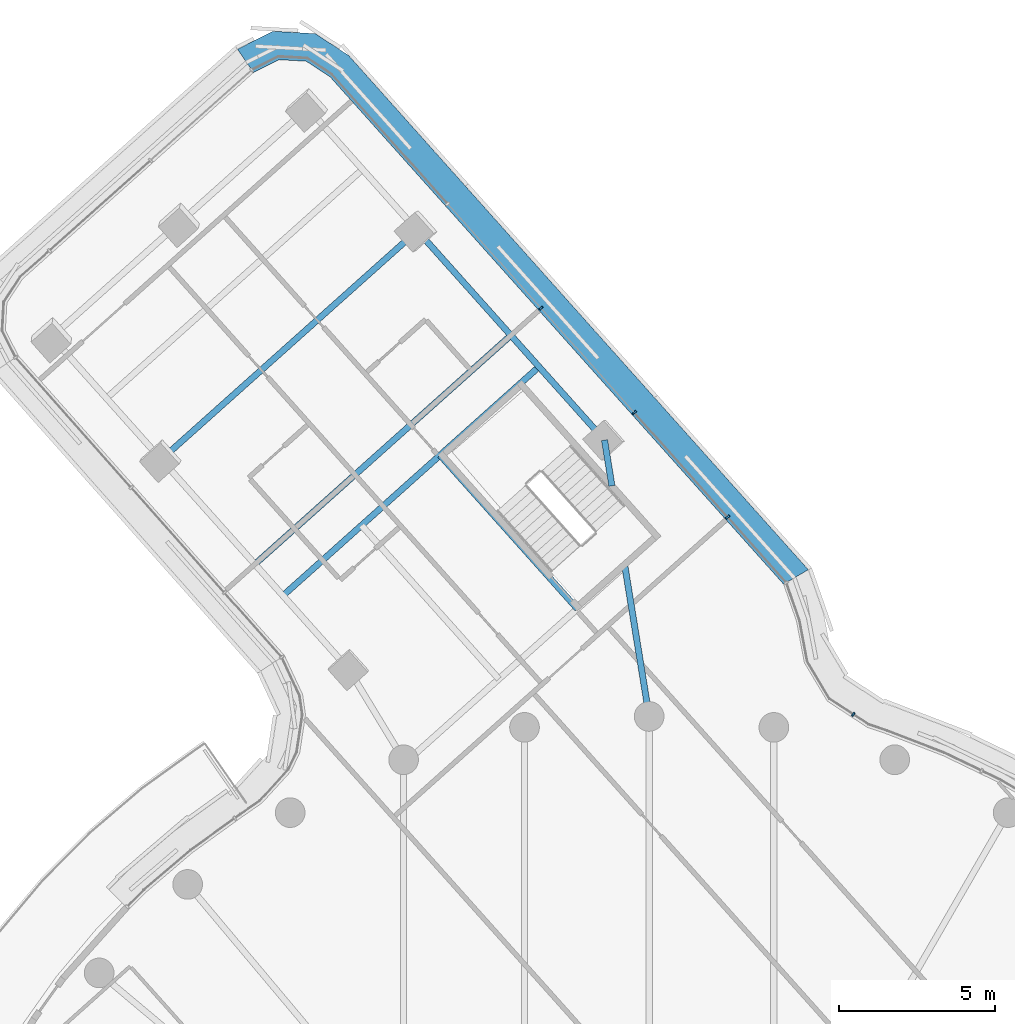
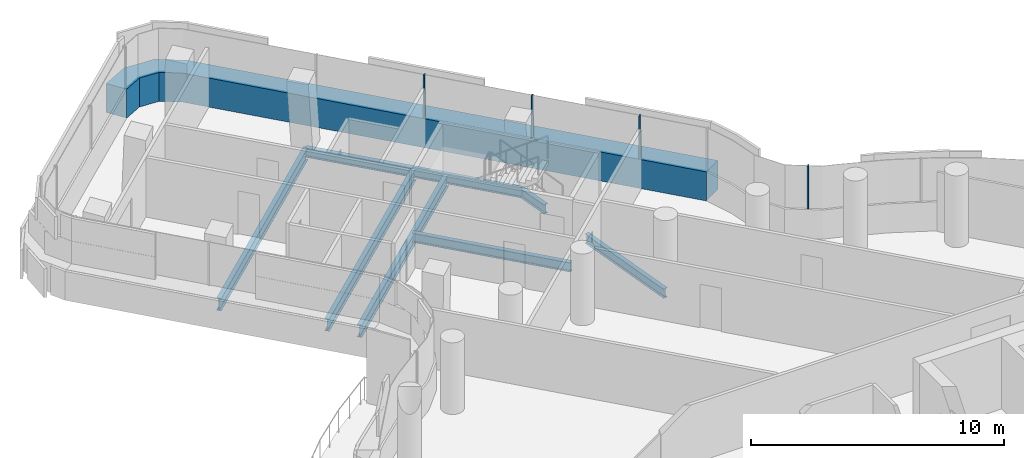
# One storey, part 16 of 33: 7 beams, 5 members, 2 elements without a shape of their own.
"""IFC4 building model written with IfcOpenShell, lengths in metres."""

from ifc_helpers import new_model, si_unit, direction, frame, origin, origin_2d, place, context, subcontext, project, spatial, polyline, rectangle, i_section, outline, extrude, material, layer, layer_set, material_profile, profile_set, type_object, element, aggregate, save


model = new_model("IFC4")

# Units and contexts
model_context = context("Model", 3, precision=1e-05, world=origin(), true_north=direction((0.0, 1.0)))
body_context = subcontext(model_context, "Body", "Model", "MODEL_VIEW")
ifc_project = project(units=[si_unit("LENGTHUNIT", "METRE"), si_unit("AREAUNIT", "SQUARE_METRE"), si_unit("VOLUMEUNIT", "CUBIC_METRE"), si_unit("PLANEANGLEUNIT", "RADIAN"), si_unit("MASSUNIT", "GRAM", prefix="KILO")], contexts=[model_context])

# Site, building, storey
site_placement = place(None, origin())
site = spatial("IfcSite", under=ifc_project, at=site_placement, CompositionType="ELEMENT")
building_placement = place(site_placement, origin())
building = spatial("IfcBuilding", under=site, at=building_placement, Name="Tamarind Cross Interchange Tower", CompositionType="ELEMENT")
storey_placement = place(building_placement, frame((0.0, 0.0, 186.10009765625)))
storey = spatial("IfcBuildingStorey", under=building, at=storey_placement, Name="L46", CompositionType="ELEMENT", Elevation=186.10009765625)

# Beams
ifc_material_1 = material(Name="Steel Q355B", Category="steel")
ifc_material_profile_1 = material_profile(ifc_material_1, i_section(OverallWidth=0.198974609375, OverallDepth=0.446044921875, WebThickness=0.008056640625, FlangeThickness=0.011962890625, FilletRadius=0.012939453125, at=origin_2d()), Name="HN 446x199x8x12")
ifc_profile_set_1 = profile_set([ifc_material_profile_1], Name="Steel Q355B")
beam_type_1 = type_object("IfcBeamType", Name="Composite beam HN 446x199x8x12 Q355B", PredefinedType="BEAM", material=ifc_profile_set_1)
beam_1_placement = place(storey_placement, frame((-7.428466796875, 38.563720703125, -0.363037109375), z_axis=(0.666420511024, -0.745576087658, 0.0), x_axis=(0.745576087658, 0.666420511024, 0.0)))
element("IfcBeam", 1, at=beam_1_placement, inside=storey, type_object=beam_type_1, Name="Beam N-edgeem6", PredefinedType="BEAM", context=body_context, shape_type="SweptSolid", body=[
    extrude(i_section(OverallWidth=0.198974609375, OverallDepth=0.446044921875, WebThickness=0.008056640625, FlangeThickness=0.011962890625, FilletRadius=0.012939453125, at=origin_2d()), origin(), (0.0, 0.0, 1.0), 9.0),
])
beam_2_placement = place(storey_placement, frame((-1.4306640625, 31.853515625, -0.363037109375), z_axis=(0.159542701998, -0.987191028241, 0.0), x_axis=(0.987191028241, 0.159542701998, 0.0)))
element("IfcBeam", 2, at=beam_2_placement, inside=storey, type_object=beam_type_1, Name="Beam N-linkemt0", PredefinedType="BEAM", context=body_context, shape_type="SweptSolid", body=[
    extrude(i_section(OverallWidth=0.198974609375, OverallDepth=0.446044921875, WebThickness=0.008056640625, FlangeThickness=0.011962890625, FilletRadius=0.012939453125, at=origin_2d()), origin(), (0.0, 0.0, 1.0), 1.484375),
])
beam_3_placement = place(storey_placement, frame((-0.786865234375, 27.868896484375, -0.363037109375), z_axis=(0.159540580116, -0.987191371162, 0.0), x_axis=(0.987191371162, 0.159540580116, 0.0)))
element("IfcBeam", 3, at=beam_3_placement, inside=storey, type_object=beam_type_1, Name="Beam N-linkemt1", PredefinedType="BEAM", context=body_context, shape_type="SweptSolid", body=[
    extrude(i_section(OverallWidth=0.198974609375, OverallDepth=0.446044921875, WebThickness=0.008056640625, FlangeThickness=0.011962890625, FilletRadius=0.012939453125, at=origin_2d()), origin(), (0.0, 0.0, 1.0), 4.93212890625),
])
beam_4_placement = place(storey_placement, frame((-2.30029296875, 26.448974609375, -0.363037109375), z_axis=(-0.666418497056, 0.745577887803, 0.0), x_axis=(-0.745577887803, -0.666418497056, 0.0)))
element("IfcBeam", 4, at=beam_4_placement, inside=storey, type_object=beam_type_1, Name="Beam N-tr1", PredefinedType="BEAM", context=body_context, shape_type="SweptSolid", body=[
    extrude(i_section(OverallWidth=0.198974609375, OverallDepth=0.446044921875, WebThickness=0.008056640625, FlangeThickness=0.011962890625, FilletRadius=0.012939453125, at=origin_2d()), origin(), (0.0, 0.0, 1.0), 6.60009765625),
])
ifc_material_profile_2 = material_profile(ifc_material_1, i_section(OverallWidth=0.198974609375, OverallDepth=0.595947265625, WebThickness=0.010009765625, FlangeThickness=0.014892578125, FilletRadius=0.012939453125, at=origin_2d()), Name="HN 596x199x10x15")
ifc_profile_set_2 = profile_set([ifc_material_profile_2], Name="Steel Q355B")
beam_type_2 = type_object("IfcBeamType", Name="Composite beam HN 596x199x10x15 Q355B", PredefinedType="BEAM", material=ifc_profile_set_2)
beam_5_placement = place(storey_placement, frame((-3.530029296875, 34.2021484375, -0.43798828125), z_axis=(-0.745561069078, -0.666437313087, 0.0), x_axis=(0.666437313087, -0.745561069078, 0.0)))
element("IfcBeam", 5, at=beam_5_placement, inside=storey, type_object=beam_type_2, Name="Beam N-x334", PredefinedType="BEAM", context=body_context, shape_type="SweptSolid", body=[
    extrude(i_section(OverallWidth=0.198974609375, OverallDepth=0.595947265625, WebThickness=0.010009765625, FlangeThickness=0.014892578125, FilletRadius=0.012939453125, at=origin_2d()), origin(), (0.0, 0.0, 1.0), 11.0),
])
beam_6_placement = place(storey_placement, frame((-7.428466796875, 38.563720703125, -0.43798828125), z_axis=(-0.745570926315, -0.666426285371, 0.0), x_axis=(0.666426285371, -0.745570926315, 0.0)))
element("IfcBeam", 6, at=beam_6_placement, inside=storey, type_object=beam_type_2, Name="Beam N-x393", PredefinedType="BEAM", context=body_context, shape_type="SweptSolid", body=[
    extrude(i_section(OverallWidth=0.198974609375, OverallDepth=0.595947265625, WebThickness=0.010009765625, FlangeThickness=0.014892578125, FilletRadius=0.012939453125, at=origin_2d()), origin(), (0.0, 0.0, 1.0), 11.000244140625),
])
beam_7_placement = place(storey_placement, frame((-4.4296875, 35.208740234375, -0.43798828125), z_axis=(-0.745561069078, -0.666437313087, 0.0), x_axis=(0.666437313087, -0.745561069078, 0.0)))
element("IfcBeam", 7, at=beam_7_placement, inside=storey, type_object=beam_type_2, Name="Beam N-x348", PredefinedType="BEAM", context=body_context, shape_type="SweptSolid", body=[
    extrude(i_section(OverallWidth=0.198974609375, OverallDepth=0.595947265625, WebThickness=0.010009765625, FlangeThickness=0.014892578125, FilletRadius=0.012939453125, at=origin_2d()), origin(), (0.0, 0.0, 1.0), 11.0),
])

# Curtain wall, member
ifc_material_2 = material(Name="Aluminium 6063-T6", Category="aluminium")
ifc_layer = layer(ifc_material_2, 0.139892578125)
ifc_layer_set = layer_set([ifc_layer], Name="Aluminium 6063-T6")
curtain_wall_type = type_object("IfcCurtainWallType", Name="Hotel curtain wall, 4.5 m bays", PredefinedType="NOTDEFINED", material=ifc_layer_set)
curtain_wall_1_placement = place(storey_placement, origin())
curtain_wall_1 = element("IfcCurtainWall", 8, at=curtain_wall_1_placement, inside=storey, type_object=curtain_wall_type, Name="CWS-L46-07", PredefinedType="NOTDEFINED")
ifc_material_3 = material(Name="Aluminium and insulated spandrel panel", Category="aluminium")
member_type_1 = type_object("IfcMemberType", Name="Floor-edge blade transom", PredefinedType="USERDEFINED", material=ifc_material_3)
member_1_placement = place(storey_placement, origin())
member_1 = element("IfcMember", 9, at=member_1_placement, type_object=member_type_1, Name="CWT-L46-07", ObjectType="TRANSOM", PredefinedType="USERDEFINED", context=body_context, shape_type="SweptSolid", body=[
    extrude(outline(polyline([(4.30712890625, 27.235107421875), (-10.221435546875, 43.489013671875), (-10.9873046875, 43.990234375), (-11.860595703125, 44.039306640625), (-12.677734375, 43.626708984375), (-13.189208984375, 44.37646484375), (-12.051025390625, 44.951416015625), (-10.6962890625, 44.87548828125), (-9.62939453125, 44.177001953125), (5.097412109375, 27.701416015625), (4.30712890625, 27.235107421875)])), origin(), (0.0, 0.0, 1.0), 1.39990234375),
])

curtain_wall_2_placement = place(storey_placement, origin())
curtain_wall_2 = element("IfcCurtainWall", 10, at=curtain_wall_2_placement, inside=storey, type_object=curtain_wall_type, Name="CWS-L46-06", PredefinedType="NOTDEFINED")
ifc_material_profile_3 = material_profile(ifc_material_2, rectangle(XDim=0.06005859375, YDim=0.139892578125, at=origin_2d()), Name="Mullion CW2")
ifc_profile_set_3 = profile_set([ifc_material_profile_3], Name="Aluminium 6063-T6")
member_type_2 = type_object("IfcMemberType", Name="Mullion CW2", PredefinedType="MULLION", material=ifc_profile_set_3)
member_2_placement = place(storey_placement, frame((6.539306640625, 23.06591796875, 1.39990234375), z_axis=(0.0, 0.0, 1.0), x_axis=(-0.83630937517, 0.548257812532, 0.0)))
member_2 = element("IfcMember", 11, at=member_2_placement, type_object=member_type_2, Name="CWM-L46-06-13", PredefinedType="MULLION", context=body_context, shape_type="SweptSolid", body=[
    extrude(rectangle(XDim=0.06005859375, YDim=0.139892578125, at=origin_2d()), origin(), (0.0, 0.0, 1.0), 2.06005859375),
])
aggregate(curtain_wall_2, [member_2])

# Member
member_3_placement = place(storey_placement, frame((2.5166015625, 29.38818359375, 1.39990234375), z_axis=(0.0, 0.0, 1.0), x_axis=(-0.666428375667, 0.745569057905, 0.0)))
member_3 = element("IfcMember", 12, at=member_3_placement, type_object=member_type_2, Name="CWM-L46-07-01", PredefinedType="MULLION", context=body_context, shape_type="SweptSolid", body=[
    extrude(rectangle(XDim=0.06005859375, YDim=0.139892578125, at=origin_2d()), origin(), (0.0, 0.0, 1.0), 2.06005859375),
])

member_4_placement = place(storey_placement, frame((-0.47314453125, 32.733154296875, 1.39990234375), z_axis=(0.0, 0.0, 1.0), x_axis=(-0.666428375667, 0.745569057905, 0.0)))
member_4 = element("IfcMember", 13, at=member_4_placement, type_object=member_type_2, Name="CWM-L46-07-02", PredefinedType="MULLION", context=body_context, shape_type="SweptSolid", body=[
    extrude(rectangle(XDim=0.06005859375, YDim=0.139892578125, at=origin_2d()), origin(), (0.0, 0.0, 1.0), 2.06005859375),
])

member_5_placement = place(storey_placement, frame((-3.463134765625, 36.078125, 1.39990234375), z_axis=(0.0, 0.0, 1.0), x_axis=(-0.666428375667, 0.745569057905, 0.0)))
member_5 = element("IfcMember", 14, at=member_5_placement, type_object=member_type_2, Name="CWM-L46-07-03", PredefinedType="MULLION", context=body_context, shape_type="SweptSolid", body=[
    extrude(rectangle(XDim=0.06005859375, YDim=0.139892578125, at=origin_2d()), origin(), (0.0, 0.0, 1.0), 2.06005859375),
])

aggregate(curtain_wall_1, [member_3, member_4, member_5, member_1])

save(model, "model.ifc")
